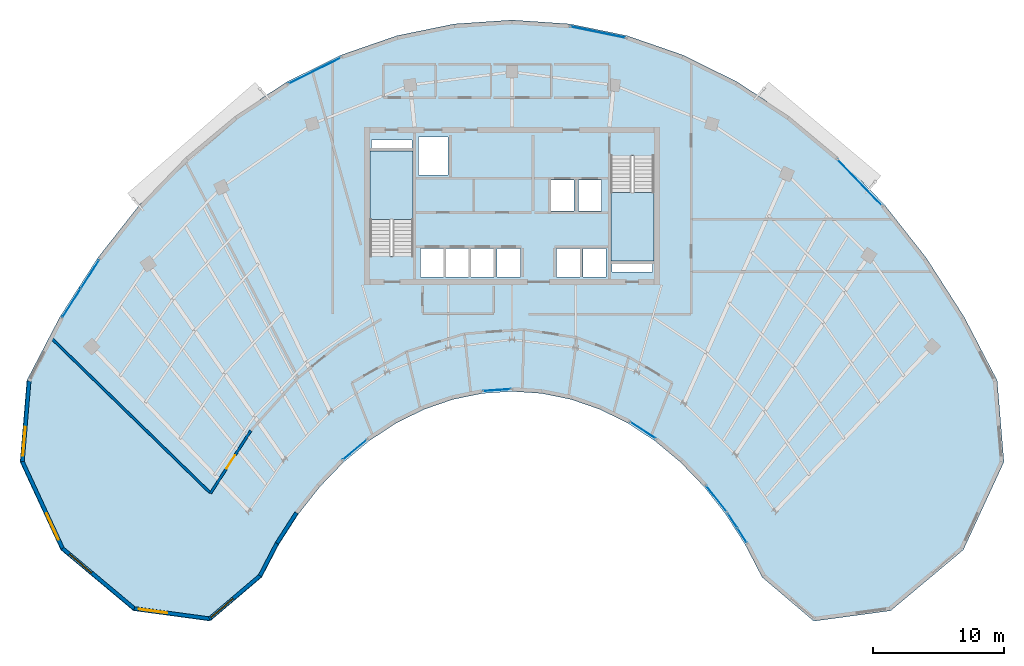
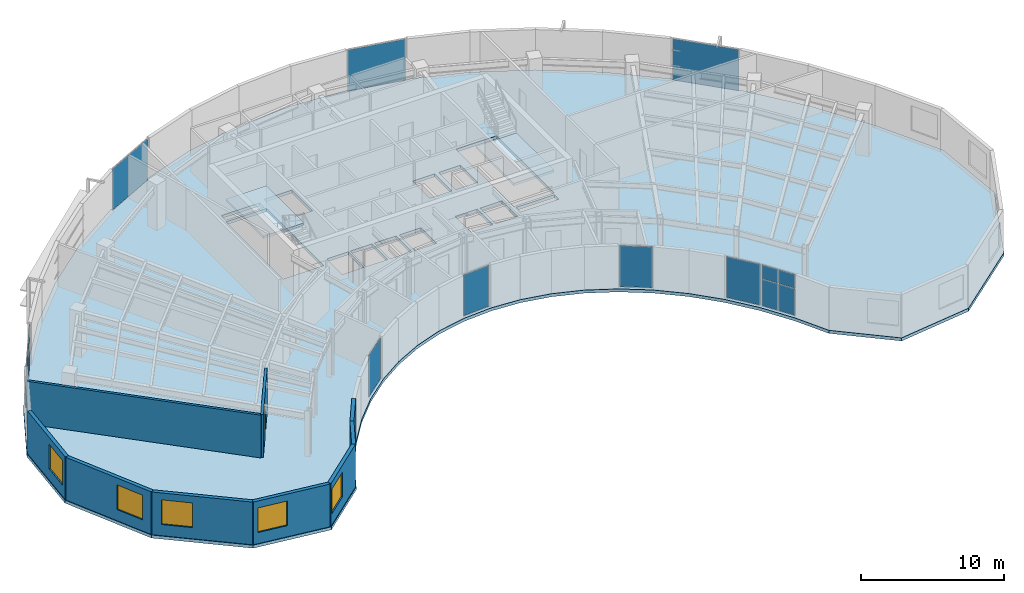
# One storey, part 7 of 14: 15 plates, 9 walls, 5 windows, 3 slabs, 1 door, 6 openings, 11 elements without a shape of their own.
"""IFC4 building model written with IfcOpenShell, lengths in metres."""

from ifc_helpers import new_model, si_unit, direction, frame, frame_2d, origin, origin_2d, place, context, subcontext, project, spatial, polyline, rectangle, outline, extrude, source, transform, mapped, material, layer, layer_set, type_object, type_shapes, element, fill, aggregate, save


model = new_model("IFC4")

# Units and contexts
model_context = context("Model", 3, precision=1e-05, world=origin(), true_north=direction((0.0, 1.0)))
body_context = subcontext(model_context, "Body", "Model", "MODEL_VIEW")
ifc_project = project(units=[si_unit("LENGTHUNIT", "METRE"), si_unit("AREAUNIT", "SQUARE_METRE"), si_unit("VOLUMEUNIT", "CUBIC_METRE"), si_unit("PLANEANGLEUNIT", "RADIAN"), si_unit("MASSUNIT", "GRAM", prefix="KILO")], contexts=[model_context])

# Site, building, storey
site_placement = place(None, origin())
site = spatial("IfcSite", under=ifc_project, at=site_placement, CompositionType="ELEMENT")
building_placement = place(site_placement, origin())
building = spatial("IfcBuilding", under=site, at=building_placement, Name="Breltana Convention Tower", CompositionType="ELEMENT")
storey_placement = place(building_placement, frame((0.0, 0.0, 215.699951171875)))
storey = spatial("IfcBuildingStorey", under=building, at=storey_placement, Name="L52", CompositionType="ELEMENT", Elevation=215.699951171875)

# Stair, slab
ifc_material_1 = material(Name="Concrete C40/50", Category="concrete")
stair_type = type_object("IfcStairType", Name="ST-DOG-1560-R177", PredefinedType="HALF_TURN_STAIR", material=ifc_material_1)
stair_1_placement = place(storey_placement, origin())
stair_1 = element("IfcStair", 1, at=stair_1_placement, inside=storey, type_object=stair_type, Name="L52 Protected Core Exit Stair ST-1", PredefinedType="HALF_TURN_STAIR")
ifc_layer_1 = layer(ifc_material_1, 0.199951171875, Name="Concrete C40/50")
ifc_layer_set_1 = layer_set([ifc_layer_1], Name="Concrete C40/50")
slab_type_1 = type_object("IfcSlabType", Name="SL-STAIR-LANDING-200", PredefinedType="LANDING", material=ifc_layer_set_1)
slab_1_placement = place(storey_placement, frame((0.0, 0.0, 1.75)))
slab_1 = element("IfcSlab", 2, at=slab_1_placement, type_object=slab_type_1, Name="ST-1 landing 1", PredefinedType="LANDING", context=body_context, shape_type="SweptSolid", body=[
    extrude(outline(polyline([(40.469970703125, 65.159912109375), (40.469970703125, 70.39990234375), (37.199951171875, 70.39990234375), (37.199951171875, 65.159912109375), (40.469970703125, 65.159912109375)])), origin(), (0.0, 0.0, 1.0), 0.199951171875),
])
aggregate(stair_1, [slab_1])

stair_2_placement = place(storey_placement, origin())
stair_2 = element("IfcStair", 3, at=stair_2_placement, inside=storey, type_object=stair_type, Name="L52 Protected Core Exit Stair ST-2", PredefinedType="HALF_TURN_STAIR")
slab_2_placement = place(storey_placement, frame((0.0, 0.0, 1.75)))
slab_2 = element("IfcSlab", 4, at=slab_2_placement, type_object=slab_type_1, Name="ST-2 landing 1", PredefinedType="LANDING", context=body_context, shape_type="SweptSolid", body=[
    extrude(outline(polyline([(55.530029296875, 67.239990234375), (55.530029296875, 62.0), (58.800048828125, 62.0), (58.800048828125, 67.239990234375), (55.530029296875, 67.239990234375)])), origin(), (0.0, 0.0, 1.0), 0.199951171875),
])
aggregate(stair_2, [slab_2])

# Slab
ifc_layer_2 = layer(ifc_material_1, 0.260009765625, Name="Concrete C40/50")
ifc_layer_set_2 = layer_set([ifc_layer_2], Name="Concrete C40/50")
slab_type_2 = type_object("IfcSlabType", Name="SL-UPP-260", PredefinedType="FLOOR", material=ifc_layer_set_2)
slab_3_placement = place(storey_placement, frame((0.0, 0.0, -0.260009765625)))
element("IfcSlab", 5, at=slab_3_placement, inside=storey, type_object=slab_type_2, Name="L52 Suspended Structural Floor Slab", PredefinedType="FLOOR", context=body_context, shape_type="SweptSolid", body=[
    extrude(outline(polyline([(84.9326171875, 52.924560546875), (82.411376953125, 57.767333984375), (79.53759765625, 62.244140625), (76.34130859375, 66.308837890625), (72.8544921875, 69.919921875), (69.113525390625, 73.040283203125), (65.15625, 75.637939453125), (61.023193359375, 77.6865234375), (56.7568359375, 79.1650390625), (52.40087890625, 80.058349609375), (48.0, 80.35693359375), (43.59912109375, 80.058349609375), (39.2431640625, 79.1650390625), (34.976806640625, 77.6865234375), (30.84375, 75.637939453125), (26.886474609375, 73.040283203125), (23.1455078125, 69.919921875), (19.65869140625, 66.308837890625), (16.46240234375, 62.244140625), (13.588623046875, 57.767333984375), (11.0673828125, 52.924560546875), (10.548583984375, 46.716796875), (13.645263671875, 40.0185546875), (19.1748046875, 35.388427734375), (25.02490234375, 34.59521484375), (28.961181640625, 37.941650390625), (30.260986328125, 40.43798828125), (31.7421875, 42.745849609375), (33.39013671875, 44.84130859375), (35.1875, 46.70263671875), (37.115966796875, 48.311279296875), (39.156005859375, 49.650390625), (41.28662109375, 50.706298828125), (43.48583984375, 51.468505859375), (45.731201171875, 51.928955078125), (48.0, 52.0830078125), (50.268798828125, 51.928955078125), (52.51416015625, 51.468505859375), (54.71337890625, 50.706298828125), (56.843994140625, 49.650390625), (58.884033203125, 48.311279296875), (60.8125, 46.70263671875), (62.60986328125, 44.84130859375), (64.2578125, 42.745849609375), (65.739013671875, 40.43798828125), (67.038818359375, 37.941650390625), (70.97509765625, 34.59521484375), (76.8251953125, 35.388427734375), (82.354736328125, 40.0185546875), (85.451416015625, 46.716796875), (84.9326171875, 52.924560546875)]), holes=[polyline([(37.199951171875, 62.385009765625), (40.469970703125, 62.385009765625), (40.469970703125, 70.39990234375), (37.199951171875, 70.39990234375), (37.199951171875, 62.385009765625)]), polyline([(55.530029296875, 62.0), (58.800048828125, 62.0), (58.800048828125, 70.014892578125), (55.530029296875, 70.014892578125), (55.530029296875, 62.0)]), polyline([(41.0400390625, 60.800048828125), (42.800048828125, 60.800048828125), (42.800048828125, 62.97998046875), (41.0400390625, 62.97998046875), (41.0400390625, 60.800048828125)]), polyline([(42.93994140625, 60.800048828125), (44.699951171875, 60.800048828125), (44.699951171875, 62.97998046875), (42.93994140625, 62.97998046875), (42.93994140625, 60.800048828125)]), polyline([(44.8701171875, 60.800048828125), (46.6298828125, 60.800048828125), (46.6298828125, 62.97998046875), (44.8701171875, 62.97998046875), (44.8701171875, 60.800048828125)]), polyline([(46.8701171875, 60.800048828125), (48.6298828125, 60.800048828125), (48.6298828125, 62.97998046875), (46.8701171875, 62.97998046875), (46.8701171875, 60.800048828125)]), polyline([(51.39990234375, 60.800048828125), (53.159912109375, 60.800048828125), (53.159912109375, 62.97998046875), (51.39990234375, 62.97998046875), (51.39990234375, 60.800048828125)]), polyline([(53.39990234375, 60.800048828125), (55.159912109375, 60.800048828125), (55.159912109375, 62.97998046875), (53.39990234375, 62.97998046875), (53.39990234375, 60.800048828125)]), polyline([(50.969970703125, 65.800048828125), (52.72998046875, 65.800048828125), (52.72998046875, 68.179931640625), (50.969970703125, 68.179931640625), (50.969970703125, 65.800048828125)]), polyline([(53.070068359375, 65.800048828125), (54.830078125, 65.800048828125), (54.830078125, 68.179931640625), (53.070068359375, 68.179931640625), (53.070068359375, 65.800048828125)]), polyline([(40.8798828125, 68.550048828125), (43.1201171875, 68.550048828125), (43.1201171875, 71.449951171875), (40.8798828125, 71.449951171875), (40.8798828125, 68.550048828125)]), polyline([(37.300048828125, 70.60009765625), (40.3798828125, 70.60009765625), (40.3798828125, 71.219970703125), (37.300048828125, 71.219970703125), (37.300048828125, 70.60009765625)]), polyline([(55.6201171875, 61.179931640625), (58.699951171875, 61.179931640625), (58.699951171875, 61.800048828125), (55.6201171875, 61.800048828125), (55.6201171875, 61.179931640625)])]), origin(), (0.0, 0.0, 1.0), 0.260009765625),
])

# Curtain wall, plates
ifc_material_2 = material(Name="Aluminium Anodised Bronze Frame", Category="aluminium")
ifc_layer_3 = layer(ifc_material_2, 0.18994140625, Name="Aluminium Anodised Bronze Frame")
ifc_layer_set_3 = layer_set([ifc_layer_3], Name="Aluminium Anodised Bronze Frame")
curtain_wall_type_1 = type_object("IfcCurtainWallType", Name="CW-SYS-1", PredefinedType="NOTDEFINED", material=ifc_layer_set_3)
curtain_wall_1_placement = place(storey_placement, origin())
curtain_wall_1 = element("IfcCurtainWall", 6, at=curtain_wall_1_placement, inside=storey, type_object=curtain_wall_type_1, Name="L52 inner south-court glazing 1", PredefinedType="NOTDEFINED")
ifc_material_3 = material(Name="Glass Low-E Double Glazing", Category="glass")
ifc_layer_4 = layer(ifc_material_3, 0.028076171875, Name="Glass Low-E Double Glazing")
ifc_layer_set_4 = layer_set([ifc_layer_4], Name="Glass Low-E Double Glazing")
plate_type = type_object("IfcPlateType", Name="CWP-IGU-28", PredefinedType="CURTAIN_PANEL", material=ifc_layer_set_4)
shared_shape_1 = source(origin(), body_context, "Body", "SweptSolid", [
    extrude(rectangle(XDim=1.251220703125, YDim=0.028076171875, at=origin_2d()), origin(), (0.0, 0.0, 1.0), 2.24609375),
])
plate_1_placement = place(storey_placement, frame((65.50927734375, 41.129150390625, 0.080078125), z_axis=(0.0, 0.0, 1.0), x_axis=(-0.540184263938, 0.841546766968, 0.0)))
plate_1 = element("IfcPlate", 7, at=plate_1_placement, type_object=plate_type, Name="CW-01 panel 1.1", PredefinedType="CURTAIN_PANEL", context=body_context, shape_type="MappedRepresentation", body=[
    mapped(shared_shape_1, transform((0.0, 0.0, 0.0), scale=1.0)),
])
plate_2_placement = place(storey_placement, frame((64.790283203125, 42.249267578125, 0.080078125), z_axis=(0.0, 0.0, 1.0), x_axis=(-0.540184263938, 0.841546766968, 0.0)))
plate_2 = element("IfcPlate", 8, at=plate_2_placement, type_object=plate_type, Name="CW-01 panel 2.1", PredefinedType="CURTAIN_PANEL", context=body_context, shape_type="MappedRepresentation", body=[
    mapped(shared_shape_1, transform((0.0, 0.0, 0.0), scale=1.0)),
])
shared_shape_2 = source(origin(), body_context, "Body", "SweptSolid", [
    extrude(rectangle(XDim=1.251220703125, YDim=0.028076171875, at=origin_2d()), origin(), (0.0, 0.0, 1.0), 1.154052734375),
])
plate_3_placement = place(storey_placement, frame((65.50927734375, 41.129150390625, 2.40625), z_axis=(0.0, 0.0, 1.0), x_axis=(-0.540184263938, 0.841546766968, 0.0)))
plate_3 = element("IfcPlate", 9, at=plate_3_placement, type_object=plate_type, Name="CW-01 panel 1.2", PredefinedType="CURTAIN_PANEL", context=body_context, shape_type="MappedRepresentation", body=[
    mapped(shared_shape_2, transform((0.0, 0.0, 0.0), scale=1.0)),
])
plate_4_placement = place(storey_placement, frame((64.790283203125, 42.249267578125, 2.40625), z_axis=(0.0, 0.0, 1.0), x_axis=(-0.540184263938, 0.841546766968, 0.0)))
plate_4 = element("IfcPlate", 10, at=plate_4_placement, type_object=plate_type, Name="CW-01 panel 2.2", PredefinedType="CURTAIN_PANEL", context=body_context, shape_type="MappedRepresentation", body=[
    mapped(shared_shape_2, transform((0.0, 0.0, 0.0), scale=1.0)),
])
aggregate(curtain_wall_1, [plate_1, plate_3, plate_2, plate_4])

# Curtain wall, plate
curtain_wall_2_placement = place(storey_placement, origin())
curtain_wall_2 = element("IfcCurtainWall", 11, at=curtain_wall_2_placement, inside=storey, type_object=curtain_wall_type_1, Name="L52 inner south-court glazing 2", PredefinedType="NOTDEFINED")
shared_shape_3 = source(origin(), body_context, "Body", "SweptSolid", [
    extrude(rectangle(XDim=2.505615234375, YDim=0.028076171875, at=origin_2d()), origin(), (0.0, 0.0, 1.0), 3.47998046875),
])
plate_5_placement = place(storey_placement, frame((63.5751953125, 43.90478515625, 0.080078125), z_axis=(0.0, 0.0, 1.0), x_axis=(-0.6181495353, 0.786060526937, 0.0)))
plate_5 = element("IfcPlate", 12, at=plate_5_placement, type_object=plate_type, Name="CW-01 panel 1.1", PredefinedType="CURTAIN_PANEL", context=body_context, shape_type="MappedRepresentation", body=[
    mapped(shared_shape_3, transform((0.0, 0.0, 0.0), scale=1.0)),
])
aggregate(curtain_wall_2, [plate_5])

# Curtain wall, plates
ifc_layer_5 = layer(ifc_material_2, 0.219970703125, Name="Aluminium Anodised Bronze Frame")
ifc_layer_set_5 = layer_set([ifc_layer_5], Name="Aluminium Anodised Bronze Frame")
curtain_wall_type_2 = type_object("IfcCurtainWallType", Name="CW-SYS-4", PredefinedType="NOTDEFINED", material=ifc_layer_set_5)
curtain_wall_3_placement = place(storey_placement, origin())
curtain_wall_3 = element("IfcCurtainWall", 13, at=curtain_wall_3_placement, inside=storey, type_object=curtain_wall_type_2, Name="L52 outer double-skin inner glazing 1", PredefinedType="NOTDEFINED")
shared_shape_4 = source(origin(), body_context, "Body", "SweptSolid", [
    extrude(rectangle(XDim=2.531494140625, YDim=0.028076171875, at=origin_2d()), origin(), (0.0, 0.0, 1.0), 2.260986328125),
])
plate_6_placement = place(storey_placement, frame((14.471435546875, 58.8095703125, 0.06982421875), z_axis=(0.0, 0.0, 1.0), x_axis=(0.540181791075, 0.84154835428, 0.0)))
plate_6 = element("IfcPlate", 14, at=plate_6_placement, type_object=plate_type, Name="CW-04 panel 1.1", PredefinedType="CURTAIN_PANEL", context=body_context, shape_type="MappedRepresentation", body=[
    mapped(shared_shape_4, transform((0.0, 0.0, 0.0), scale=1.0)),
])
plate_7_placement = place(storey_placement, frame((15.882080078125, 61.007080078125, 0.06982421875), z_axis=(0.0, 0.0, 1.0), x_axis=(0.540181791075, 0.84154835428, 0.0)))
plate_7 = element("IfcPlate", 15, at=plate_7_placement, type_object=plate_type, Name="CW-04 panel 2.1", PredefinedType="CURTAIN_PANEL", context=body_context, shape_type="MappedRepresentation", body=[
    mapped(shared_shape_4, transform((0.0, 0.0, 0.0), scale=1.0)),
])
shared_shape_5 = source(origin(), body_context, "Body", "SweptSolid", [
    extrude(rectangle(XDim=2.531494140625, YDim=0.028076171875, at=origin_2d()), origin(), (0.0, 0.0, 1.0), 1.1689453125),
])
plate_8_placement = place(storey_placement, frame((14.471435546875, 58.8095703125, 2.401123046875), z_axis=(0.0, 0.0, 1.0), x_axis=(0.540181791075, 0.84154835428, 0.0)))
plate_8 = element("IfcPlate", 16, at=plate_8_placement, type_object=plate_type, Name="CW-04 panel 1.2", PredefinedType="CURTAIN_PANEL", context=body_context, shape_type="MappedRepresentation", body=[
    mapped(shared_shape_5, transform((0.0, 0.0, 0.0), scale=1.0)),
])
plate_9_placement = place(storey_placement, frame((15.882080078125, 61.007080078125, 2.401123046875), z_axis=(0.0, 0.0, 1.0), x_axis=(0.540181791075, 0.84154835428, 0.0)))
plate_9 = element("IfcPlate", 17, at=plate_9_placement, type_object=plate_type, Name="CW-04 panel 2.2", PredefinedType="CURTAIN_PANEL", context=body_context, shape_type="MappedRepresentation", body=[
    mapped(shared_shape_5, transform((0.0, 0.0, 0.0), scale=1.0)),
])
aggregate(curtain_wall_3, [plate_6, plate_8, plate_7, plate_9])

# Curtain wall, plate
curtain_wall_4_placement = place(storey_placement, origin())
curtain_wall_4 = element("IfcCurtainWall", 18, at=curtain_wall_4_placement, inside=storey, type_object=curtain_wall_type_2, Name="L52 outer double-skin inner glazing 4", PredefinedType="NOTDEFINED")
shared_shape_6 = source(origin(), body_context, "Body", "SweptSolid", [
    extrude(rectangle(XDim=4.8408203125, YDim=0.028076171875, at=origin_2d()), origin(), (0.0, 0.0, 1.0), 3.5),
])
plate_10_placement = place(storey_placement, frame((74.46875, 67.989013671875, 0.070068359375), z_axis=(0.0, 0.0, 1.0), x_axis=(0.694599866751, -0.719396292115, 0.0)))
plate_10 = element("IfcPlate", 19, at=plate_10_placement, type_object=plate_type, Name="CW-04 panel 1.1", PredefinedType="CURTAIN_PANEL", context=body_context, shape_type="MappedRepresentation", body=[
    mapped(shared_shape_6, transform((0.0, 0.0, 0.0), scale=1.0)),
])
aggregate(curtain_wall_4, [plate_10])

curtain_wall_5_placement = place(storey_placement, origin())
curtain_wall_5 = element("IfcCurtainWall", 20, at=curtain_wall_5_placement, inside=storey, type_object=curtain_wall_type_2, Name="L52 outer double-skin inner glazing 3", PredefinedType="NOTDEFINED")
shared_shape_7 = source(origin(), body_context, "Body", "SweptSolid", [
    extrude(rectangle(XDim=4.262451171875, YDim=0.028076171875, at=origin_2d()), origin(), (0.0, 0.0, 1.0), 3.5),
])
plate_11_placement = place(storey_placement, frame((54.54296875, 79.435302734375, 0.070068359375), z_axis=(0.0, 0.0, 1.0), x_axis=(0.979615937236, -0.200879604523, 0.0)))
plate_11 = element("IfcPlate", 21, at=plate_11_placement, type_object=plate_type, Name="CW-04 panel 1.1", PredefinedType="CURTAIN_PANEL", context=body_context, shape_type="MappedRepresentation", body=[
    mapped(shared_shape_7, transform((0.0, 0.0, 0.0), scale=1.0)),
])
aggregate(curtain_wall_5, [plate_11])

curtain_wall_6_placement = place(storey_placement, origin())
curtain_wall_6 = element("IfcCurtainWall", 22, at=curtain_wall_6_placement, inside=storey, type_object=curtain_wall_type_2, Name="L52 outer double-skin inner glazing 2", PredefinedType="NOTDEFINED")
shared_shape_8 = source(origin(), body_context, "Body", "SweptSolid", [
    extrude(rectangle(XDim=4.430419921875, YDim=0.028076171875, at=origin_2d()), origin(), (0.0, 0.0, 1.0), 3.5),
])
plate_12_placement = place(storey_placement, frame((32.989990234375, 76.5009765625, 0.070068359375), z_axis=(0.0, 0.0, 1.0), x_axis=(0.895972827235, 0.444108875003, 0.0)))
plate_12 = element("IfcPlate", 23, at=plate_12_placement, type_object=plate_type, Name="CW-04 panel 1.1", PredefinedType="CURTAIN_PANEL", context=body_context, shape_type="MappedRepresentation", body=[
    mapped(shared_shape_8, transform((0.0, 0.0, 0.0), scale=1.0)),
])
aggregate(curtain_wall_6, [plate_12])

curtain_wall_7_placement = place(storey_placement, origin())
curtain_wall_7 = element("IfcCurtainWall", 24, at=curtain_wall_7_placement, inside=storey, type_object=curtain_wall_type_1, Name="L52 inner south-court glazing 3", PredefinedType="NOTDEFINED")
shared_shape_9 = source(origin(), body_context, "Body", "SweptSolid", [
    extrude(rectangle(XDim=2.2802734375, YDim=0.028076171875, at=origin_2d()), origin(), (0.0, 0.0, 1.0), 3.47998046875),
])
plate_13_placement = place(storey_placement, frame((57.962890625, 49.13134765625, 0.080078125), z_axis=(0.0, 0.0, 1.0), x_axis=(-0.835982113821, 0.548756690502, 0.0)))
plate_13 = element("IfcPlate", 25, at=plate_13_placement, type_object=plate_type, Name="CW-01 panel 1.1", PredefinedType="CURTAIN_PANEL", context=body_context, shape_type="MappedRepresentation", body=[
    mapped(shared_shape_9, transform((0.0, 0.0, 0.0), scale=1.0)),
])
aggregate(curtain_wall_7, [plate_13])

curtain_wall_8_placement = place(storey_placement, origin())
curtain_wall_8 = element("IfcCurtainWall", 26, at=curtain_wall_8_placement, inside=storey, type_object=curtain_wall_type_1, Name="L52 inner south-court glazing 4", PredefinedType="NOTDEFINED")
shared_shape_10 = source(origin(), body_context, "Body", "SweptSolid", [
    extrude(rectangle(XDim=2.114013671875, YDim=0.028076171875, at=origin_2d()), origin(), (0.0, 0.0, 1.0), 3.47998046875),
])
plate_14_placement = place(storey_placement, frame((46.853515625, 52.185546875, 0.080078125), z_axis=(0.0, 0.0, 1.0), x_axis=(-0.997704064785, -0.067724435121, 0.0)))
plate_14 = element("IfcPlate", 27, at=plate_14_placement, type_object=plate_type, Name="CW-01 panel 1.1", PredefinedType="CURTAIN_PANEL", context=body_context, shape_type="MappedRepresentation", body=[
    mapped(shared_shape_10, transform((0.0, 0.0, 0.0), scale=1.0)),
])
aggregate(curtain_wall_8, [plate_14])

curtain_wall_9_placement = place(storey_placement, origin())
curtain_wall_9 = element("IfcCurtainWall", 28, at=curtain_wall_9_placement, inside=storey, type_object=curtain_wall_type_1, Name="L52 inner south-court glazing 5", PredefinedType="NOTDEFINED")
shared_shape_11 = source(origin(), body_context, "Body", "SweptSolid", [
    extrude(rectangle(XDim=2.351318359375, YDim=0.028076171875, at=origin_2d()), origin(), (0.0, 0.0, 1.0), 3.47998046875),
])
plate_15_placement = place(storey_placement, frame((36.036376953125, 47.64501953125, 0.080078125), z_axis=(0.0, 0.0, 1.0), x_axis=(-0.767924180628, -0.640540750309, 0.0)))
plate_15 = element("IfcPlate", 29, at=plate_15_placement, type_object=plate_type, Name="CW-01 panel 1.1", PredefinedType="CURTAIN_PANEL", context=body_context, shape_type="MappedRepresentation", body=[
    mapped(shared_shape_11, transform((0.0, 0.0, 0.0), scale=1.0)),
])
aggregate(curtain_wall_9, [plate_15])

# Wall, opening, window
ifc_material_4 = material(Name="Limestone Buff Insulated Wall", Category="masonry")
ifc_layer_6 = layer(ifc_material_4, 0.280029296875, Name="Limestone Buff Insulated Wall")
ifc_layer_set_6 = layer_set([ifc_layer_6], Name="Limestone Buff Insulated Wall")
wall_type_1 = type_object("IfcWallType", Name="WL-EXT-NOSE-280", PredefinedType="SOLIDWALL", material=ifc_layer_set_6)
shared_shape_12 = source(origin(), body_context, "Body", "SweptSolid", [
    extrude(rectangle(XDim=6.145751953125, YDim=0.280029296875, at=frame_2d((3.07275390625, 0.0))), origin(), (0.0, 0.0, 1.0), 3.64013671875),
])
wall_1_placement = place(storey_placement, frame((10.73193359375, 46.7490234375, 0.0), z_axis=(0.0, 0.0, 1.0), x_axis=(0.083301904456, 0.996524356307, 0.0)))
wall_1 = element("IfcWall", 30, at=wall_1_placement, inside=storey, type_object=wall_type_1, Name="L52 curved limestone nose wall W6", PredefinedType="SOLIDWALL", context=body_context, shape_type="MappedRepresentation", body=[
    mapped(shared_shape_12, transform((0.0, 0.0, 0.0), scale=1.0)),
])
opening_1_placement = place(wall_1_placement, frame((0.436279296875, 0.0, 0.949951171875)))
opening_1 = element("IfcOpeningElement", 31, at=opening_1_placement, cuts=wall_1, Name="Opening W-03", PredefinedType="OPENING", context=body_context, shape_type="SweptSolid", body=[
    extrude(rectangle(XDim=2.199951171875, YDim=2.10009765625, at=frame_2d((1.10009765625, 1.050048828125))), frame((0.0, 0.14990234375, 0.0), z_axis=(0.0, -1.0, 0.0), x_axis=(1.0, 0.0, 0.0)), (0.0, 0.0, 1.0), 0.300048828125),
])
ifc_material_5 = material(Name="Glass Low-E Insulated Window", Category="glass")
window_type = type_object("IfcWindowType", Name="WN-NOSE-2200X2100", PartitioningType="TRIPLE_PANEL_VERTICAL", PredefinedType="WINDOW", material=ifc_material_5)
shared_shape_13 = source(origin(), body_context, "Body", "SweptSolid", [
    extrude(rectangle(XDim=2.199951171875, YDim=2.10009765625, at=frame_2d((1.10009765625, 1.050048828125))), frame((0.0, 0.030029296875, 0.0), z_axis=(0.0, -1.0, 0.0), x_axis=(1.0, 0.0, 0.0)), (0.0, 0.0, 1.0), 0.06005859375),
])
type_shapes(window_type, [shared_shape_13])
window_1_placement = place(opening_1_placement, origin())
window_1 = element("IfcWindow", 32, at=window_1_placement, inside=storey, type_object=window_type, Name="L52 nose window W6", OverallHeight=2.10009765625, OverallWidth=2.199951171875, PartitioningType="TRIPLE_PANEL_VERTICAL", PredefinedType="WINDOW", context=body_context, shape_type="MappedRepresentation", body=[
    mapped(shared_shape_13, transform((0.0, 0.0, 0.0), scale=1.0)),
])
fill(opening_1, window_1)

shared_shape_14 = source(origin(), body_context, "Body", "SweptSolid", [
    extrude(rectangle(XDim=7.29150390625, YDim=0.280029296875, at=frame_2d((3.645751953125, 0.0))), origin(), (0.0, 0.0, 1.0), 3.64013671875),
])
wall_2_placement = place(storey_placement, frame((13.791748046875, 40.130615234375, 0.0), z_axis=(0.0, 0.0, 1.0), x_axis=(-0.419642001049, 0.907689699708, 0.0)))
wall_2 = element("IfcWall", 33, at=wall_2_placement, inside=storey, type_object=wall_type_1, Name="L52 curved limestone nose wall W5", PredefinedType="SOLIDWALL", context=body_context, shape_type="MappedRepresentation", body=[
    mapped(shared_shape_14, transform((0.0, 0.0, 0.0), scale=1.0)),
])
opening_2_placement = place(wall_2_placement, frame((0.722900390625, 0.0, 0.949951171875)))
opening_2 = element("IfcOpeningElement", 34, at=opening_2_placement, cuts=wall_2, Name="Opening W-03", PredefinedType="OPENING", context=body_context, shape_type="SweptSolid", body=[
    extrude(rectangle(XDim=2.199951171875, YDim=2.10009765625, at=frame_2d((1.10009765625, 1.050048828125))), frame((0.0, 0.14990234375, 0.0), z_axis=(0.0, -1.0, 0.0), x_axis=(1.0, 0.0, 0.0)), (0.0, 0.0, 1.0), 0.300048828125),
])
window_2_placement = place(opening_2_placement, origin())
window_2 = element("IfcWindow", 35, at=window_2_placement, inside=storey, type_object=window_type, Name="L52 nose window W5", OverallHeight=2.10009765625, OverallWidth=2.199951171875, PartitioningType="TRIPLE_PANEL_VERTICAL", PredefinedType="WINDOW", context=body_context, shape_type="MappedRepresentation", body=[
    mapped(shared_shape_13, transform((0.0, 0.0, 0.0), scale=1.0)),
])
fill(opening_2, window_2)

shared_shape_15 = source(origin(), body_context, "Body", "SweptSolid", [
    extrude(rectangle(XDim=7.11962890625, YDim=0.280029296875, at=frame_2d((3.559814453125, 0.0))), origin(), (0.0, 0.0, 1.0), 3.64013671875),
])
wall_3_placement = place(storey_placement, frame((19.25048828125, 35.559814453125, 0.0), z_axis=(0.0, 0.0, 1.0), x_axis=(-0.766709783564, 0.641993853387, 0.0)))
wall_3 = element("IfcWall", 36, at=wall_3_placement, inside=storey, type_object=wall_type_1, Name="L52 curved limestone nose wall W4", PredefinedType="SOLIDWALL", context=body_context, shape_type="MappedRepresentation", body=[
    mapped(shared_shape_15, transform((0.0, 0.0, 0.0), scale=1.0)),
])
opening_3_placement = place(wall_3_placement, frame((4.23974609375, 0.0, 0.949951171875)))
opening_3 = element("IfcOpeningElement", 37, at=opening_3_placement, cuts=wall_3, Name="Opening W-03", PredefinedType="OPENING", context=body_context, shape_type="SweptSolid", body=[
    extrude(rectangle(XDim=2.199951171875, YDim=2.10009765625, at=frame_2d((1.10009765625, 1.050048828125))), frame((0.0, 0.14990234375, 0.0), z_axis=(0.0, -1.0, 0.0), x_axis=(1.0, 0.0, 0.0)), (0.0, 0.0, 1.0), 0.300048828125),
])
window_3_placement = place(opening_3_placement, origin())
window_3 = element("IfcWindow", 38, at=window_3_placement, inside=storey, type_object=window_type, Name="L52 nose window W4", OverallHeight=2.10009765625, OverallWidth=2.199951171875, PartitioningType="TRIPLE_PANEL_VERTICAL", PredefinedType="WINDOW", context=body_context, shape_type="MappedRepresentation", body=[
    mapped(shared_shape_13, transform((0.0, 0.0, 0.0), scale=1.0)),
])
fill(opening_3, window_3)

shared_shape_16 = source(origin(), body_context, "Body", "SweptSolid", [
    extrude(rectangle(XDim=5.771240234375, YDim=0.280029296875, at=frame_2d((2.8857421875, 0.0))), origin(), (0.0, 0.0, 1.0), 3.64013671875),
])
wall_4_placement = place(storey_placement, frame((24.969482421875, 34.784423828125, 0.0), z_axis=(0.0, 0.0, 1.0), x_axis=(-0.990933615537, 0.134352408237, 0.0)))
wall_4 = element("IfcWall", 39, at=wall_4_placement, inside=storey, type_object=wall_type_1, Name="L52 curved limestone nose wall W3", PredefinedType="SOLIDWALL", context=body_context, shape_type="MappedRepresentation", body=[
    mapped(shared_shape_16, transform((0.0, 0.0, 0.0), scale=1.0)),
])
opening_4_placement = place(wall_4_placement, frame((3.228759765625, 0.0, 0.949951171875)))
opening_4 = element("IfcOpeningElement", 40, at=opening_4_placement, cuts=wall_4, Name="Opening W-03", PredefinedType="OPENING", context=body_context, shape_type="SweptSolid", body=[
    extrude(rectangle(XDim=2.199951171875, YDim=2.10009765625, at=frame_2d((1.10009765625, 1.050048828125))), frame((0.0, 0.14990234375, 0.0), z_axis=(0.0, -1.0, 0.0), x_axis=(1.0, 0.0, 0.0)), (0.0, 0.0, 1.0), 0.300048828125),
])
window_4_placement = place(opening_4_placement, origin())
window_4 = element("IfcWindow", 41, at=window_4_placement, inside=storey, type_object=window_type, Name="L52 nose window W3", OverallHeight=2.10009765625, OverallWidth=2.199951171875, PartitioningType="TRIPLE_PANEL_VERTICAL", PredefinedType="WINDOW", context=body_context, shape_type="MappedRepresentation", body=[
    mapped(shared_shape_13, transform((0.0, 0.0, 0.0), scale=1.0)),
])
fill(opening_4, window_4)

shared_shape_17 = source(origin(), body_context, "Body", "SweptSolid", [
    extrude(rectangle(XDim=5.051025390625, YDim=0.280029296875, at=frame_2d((2.525390625, 0.0))), origin(), (0.0, 0.0, 1.0), 3.64013671875),
])
wall_5_placement = place(storey_placement, frame((28.81787109375, 38.055908203125, 0.0), z_axis=(0.0, 0.0, 1.0), x_axis=(-0.761904731537, -0.647689107568, 0.0)))
wall_5 = element("IfcWall", 42, at=wall_5_placement, inside=storey, type_object=wall_type_1, Name="L52 curved limestone nose wall W2", PredefinedType="SOLIDWALL", context=body_context, shape_type="MappedRepresentation", body=[
    mapped(shared_shape_17, transform((0.0, 0.0, 0.0), scale=1.0)),
])
opening_5_placement = place(wall_5_placement, frame((2.688232421875, 0.0, 0.949951171875)))
opening_5 = element("IfcOpeningElement", 43, at=opening_5_placement, cuts=wall_5, Name="Opening W-03", PredefinedType="OPENING", context=body_context, shape_type="SweptSolid", body=[
    extrude(rectangle(XDim=2.199951171875, YDim=2.10009765625, at=frame_2d((1.10009765625, 1.050048828125))), frame((0.0, 0.14990234375, 0.0), z_axis=(0.0, -1.0, 0.0), x_axis=(1.0, 0.0, 0.0)), (0.0, 0.0, 1.0), 0.300048828125),
])
window_5_placement = place(opening_5_placement, origin())
window_5 = element("IfcWindow", 44, at=window_5_placement, inside=storey, type_object=window_type, Name="L52 nose window W2", OverallHeight=2.10009765625, OverallWidth=2.199951171875, PartitioningType="TRIPLE_PANEL_VERTICAL", PredefinedType="WINDOW", context=body_context, shape_type="MappedRepresentation", body=[
    mapped(shared_shape_13, transform((0.0, 0.0, 0.0), scale=1.0)),
])
fill(opening_5, window_5)

# Walls
shared_shape_18 = source(origin(), body_context, "Body", "SweptSolid", [
    extrude(rectangle(XDim=2.779296875, YDim=0.280029296875, at=frame_2d((1.3896484375, 0.0))), origin(), (0.0, 0.0, 1.0), 3.64013671875),
])
wall_6_placement = place(storey_placement, frame((30.101318359375, 40.521240234375, 0.0), z_axis=(0.0, 0.0, 1.0), x_axis=(-0.461770308601, -0.886999538948, 0.0)))
element("IfcWall", 45, at=wall_6_placement, inside=storey, type_object=wall_type_1, Name="L52 curved limestone nose wall W1", PredefinedType="SOLIDWALL", context=body_context, shape_type="MappedRepresentation", body=[
    mapped(shared_shape_18, transform((0.0, 0.0, 0.0), scale=1.0)),
])
shared_shape_19 = source(origin(), body_context, "Body", "SweptSolid", [
    extrude(rectangle(XDim=2.7421875, YDim=0.280029296875, at=frame_2d((1.37109375, 0.0))), origin(), (0.0, 0.0, 1.0), 3.64013671875),
])
wall_7_placement = place(storey_placement, frame((31.5908203125, 42.843017578125, 0.0), z_axis=(0.0, 0.0, 1.0), x_axis=(-0.540172468355, -0.841554338371, 0.0)))
element("IfcWall", 46, at=wall_7_placement, inside=storey, type_object=wall_type_1, Name="L52 curved limestone nose wall E19", PredefinedType="SOLIDWALL", context=body_context, shape_type="MappedRepresentation", body=[
    mapped(shared_shape_19, transform((0.0, 0.0, 0.0), scale=1.0)),
])

# Wall, opening, door
ifc_material_6 = material(Name="Gypsum Acoustic Hotel Wall")
ifc_layer_7 = layer(ifc_material_6, 0.195068359375, Name="Gypsum Acoustic Hotel Wall")
ifc_layer_set_7 = layer_set([ifc_layer_7], Name="Gypsum Acoustic Hotel Wall")
wall_type_2 = type_object("IfcWallType", Name="WL-HOTEL-200", PredefinedType="PARTITIONING", material=ifc_layer_set_7)
shared_shape_20 = source(origin(), body_context, "Body", "SweptSolid", [
    extrude(rectangle(XDim=5.66845703125, YDim=0.195068359375, at=frame_2d((2.834228515625, 0.0))), origin(), (0.0, 0.0, 1.0), 3.64013671875),
])
wall_8_placement = place(storey_placement, frame((25.056396484375, 44.33740234375, 0.0), z_axis=(0.0, 0.0, 1.0), x_axis=(0.540868603668, 0.841107099938, 0.0)))
wall_8 = element("IfcWall", 47, at=wall_8_placement, inside=storey, type_object=wall_type_2, Name="L52 interior partition W-L52-EXWR1-COR1", PredefinedType="PARTITIONING", context=body_context, shape_type="MappedRepresentation", body=[
    mapped(shared_shape_20, transform((0.0, 0.0, 0.0), scale=1.0)),
])
opening_6_placement = place(wall_8_placement, frame((2.234375, 0.0, 0.0)))
opening_6 = element("IfcOpeningElement", 48, at=opening_6_placement, cuts=wall_8, Name="Opening D-10", PredefinedType="OPENING", context=body_context, shape_type="SweptSolid", body=[
    extrude(rectangle(XDim=1.199951171875, YDim=2.14990234375, at=frame_2d((0.60009765625, 1.074951171875))), frame((0.0, 0.107421875, 0.0), z_axis=(0.0, -1.0, 0.0), x_axis=(1.0, 0.0, 0.0)), (0.0, 0.0, 1.0), 0.215087890625),
])
ifc_material_7 = material(Name="Timber Oak Veneer Fire Door", Category="wood")
door_type = type_object("IfcDoorType", Name="DR-INT-1200", OperationType="NOTDEFINED", PredefinedType="DOOR", material=ifc_material_7)
shared_shape_21 = source(origin(), body_context, "Body", "SweptSolid", [
    extrude(rectangle(XDim=1.199951171875, YDim=2.14990234375, at=frame_2d((0.60009765625, 1.074951171875))), frame((0.0, 0.02490234375, 0.0), z_axis=(0.0, -1.0, 0.0), x_axis=(1.0, 0.0, 0.0)), (0.0, 0.0, 1.0), 0.050048828125),
])
type_shapes(door_type, [shared_shape_21])
door_placement = place(opening_6_placement, origin())
door = element("IfcDoor", 49, at=door_placement, inside=storey, type_object=door_type, Name="L52 interior door D-L52-EXWR1", OperationType="SINGLE_SWING_RIGHT", OverallHeight=2.14990234375, OverallWidth=1.199951171875, PredefinedType="DOOR", context=body_context, shape_type="MappedRepresentation", body=[
    mapped(shared_shape_21, transform((0.0, 0.0, 0.0), scale=1.0)),
])
fill(opening_6, door)

# Wall
shared_shape_22 = source(origin(), body_context, "Body", "SweptSolid", [
    extrude(rectangle(XDim=16.853759765625, YDim=0.195068359375, at=frame_2d((8.4267578125, 0.0))), origin(), (0.0, 0.0, 1.0), 3.64013671875),
])
wall_9_placement = place(storey_placement, frame((25.02392578125, 44.368896484375, 0.0), z_axis=(0.0, 0.0, 1.0), x_axis=(-0.716517105841, 0.697569521294, 0.0)))
element("IfcWall", 50, at=wall_9_placement, inside=storey, type_object=wall_type_2, Name="L52 interior partition W-L52-EXWR1-RA", PredefinedType="PARTITIONING", context=body_context, shape_type="MappedRepresentation", body=[
    mapped(shared_shape_22, transform((0.0, 0.0, 0.0), scale=1.0)),
])

save(model, "model.ifc")
